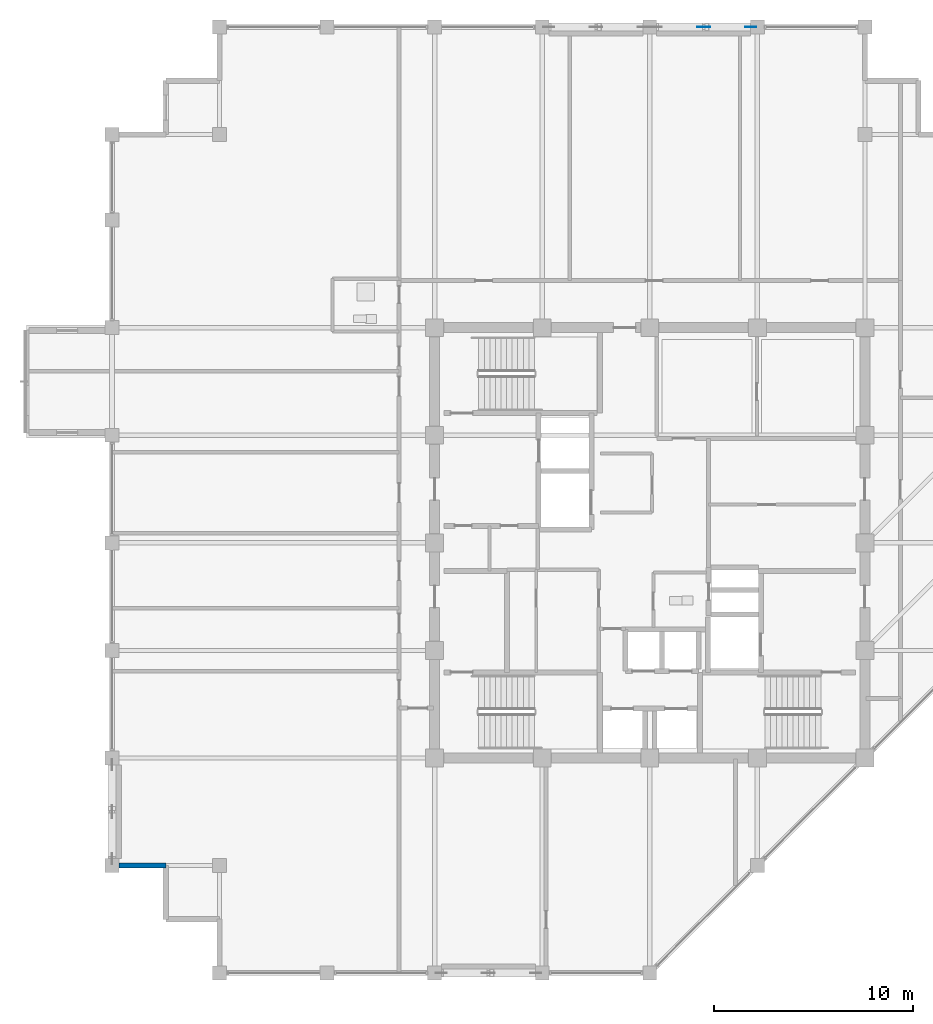
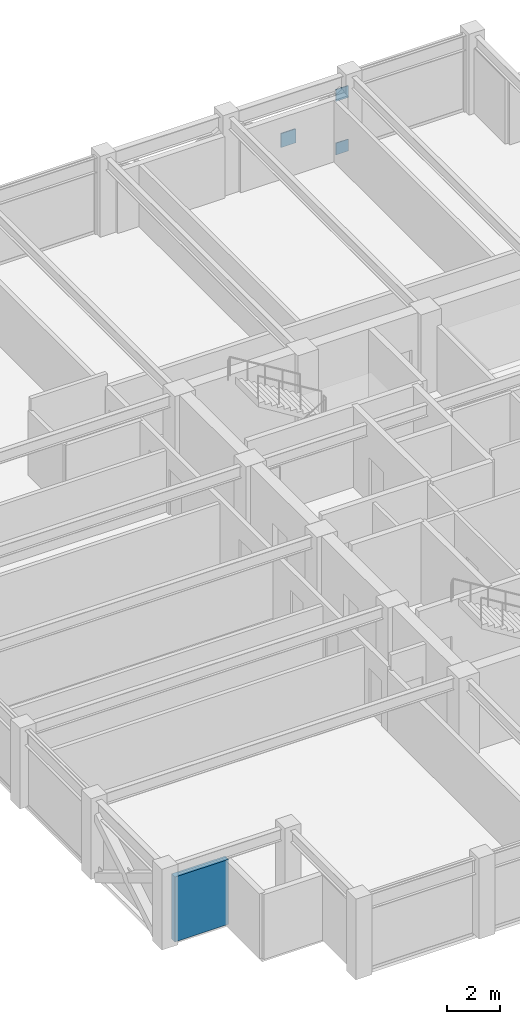
# One storey, part 24 of 31: 3 plates, 1 wall.
"""IFC4 building model written with IfcOpenShell, lengths in metres."""

from ifc_helpers import new_model, si_unit, direction, frame, frame_2d, origin, origin_2d, place, context, subcontext, project, spatial, rectangle, extrude, material, layer, layer_set, type_object, element, save


model = new_model("IFC4")

# Units and contexts
model_context = context("Model", 3, precision=1e-05, world=origin(), true_north=direction((0.0, 1.0)))
body_context = subcontext(model_context, "Body", "Model", "MODEL_VIEW")
ifc_project = project(units=[si_unit("LENGTHUNIT", "METRE"), si_unit("AREAUNIT", "SQUARE_METRE"), si_unit("VOLUMEUNIT", "CUBIC_METRE"), si_unit("PLANEANGLEUNIT", "RADIAN"), si_unit("MASSUNIT", "GRAM", prefix="KILO")], contexts=[model_context])

# Site, building, storey
site_placement = place(None, origin())
site = spatial("IfcSite", under=ifc_project, at=site_placement, CompositionType="ELEMENT")
building_placement = place(site_placement, origin())
building = spatial("IfcBuilding", under=site, at=building_placement, Name="Surkhivell Harbour Commons", CompositionType="ELEMENT")
storey_placement = place(building_placement, frame((0.0, 0.0, 262.5)))
storey = spatial("IfcBuildingStorey", under=building, at=storey_placement, Name="L68", CompositionType="ELEMENT", Elevation=262.5)

# Plates
ifc_material_1 = material(Name="Steel S460", Category="steel")
ifc_layer_1 = layer(ifc_material_1, 0.035888671875)
ifc_layer_set_1 = layer_set([ifc_layer_1], Name="Steel S460")
plate_type_1 = type_object("IfcPlateType", Name="PLT-GUS-550", PredefinedType="USERDEFINED", material=ifc_layer_set_1)
for number, where, z_axis, x_axis, name in (
    (1, (5.06494140625, 25.89990234375, -0.07470703125), (0.0, 0.0, 1.0), (1.0, 0.0, 0.0), "L68 Perimeter Mega-Brace MB- Corner Gusset N2-2"),
    (2, (5.06494140625, 25.89990234375, 2.41357421875), (0.0, 0.0, 1.0), (1.0, 0.0, 0.0), "L68 Perimeter Mega-Brace MB- Corner Gusset N2-4"),
):
    element("IfcPlate", number, at=place(storey_placement, frame(where, z_axis=z_axis, x_axis=x_axis)), inside=storey, type_object=plate_type_1, Name=name, ObjectType="GUSSET_PLATE", PredefinedType="USERDEFINED", context=body_context, shape_type="SweptSolid", body=[
        extrude(rectangle(XDim=0.550048828125, YDim=0.035888671875, at=origin_2d()), origin(), (0.0, 0.0, 1.0), 0.550048828125),
    ])
ifc_layer_2 = layer(ifc_material_1, 0.044921875)
ifc_layer_set_2 = layer_set([ifc_layer_2], Name="Steel S460")
plate_type_2 = type_object("IfcPlateType", Name="PLT-GUS-650", PredefinedType="USERDEFINED", material=ifc_layer_set_2)
plate_placement = place(storey_placement, frame((2.699951171875, 25.89990234375, 1.11962890625), z_axis=(0.0, 0.0, 1.0), x_axis=(1.0, 0.0, 0.0)))
element("IfcPlate", 3, at=plate_placement, inside=storey, type_object=plate_type_2, Name="L68 Perimeter Mega-Brace MB- Central Crossing Gusset N2", ObjectType="GUSSET_PLATE", PredefinedType="USERDEFINED", context=body_context, shape_type="SweptSolid", body=[
    extrude(rectangle(XDim=0.64990234375, YDim=0.044921875, at=origin_2d()), origin(), (0.0, 0.0, 1.0), 0.64990234375),
])

# Wall
ifc_material_2 = material(Name="Pale-metal insulated precast concrete C45/55", Category="concrete")
ifc_layer_3 = layer(ifc_material_2, 0.260009765625)
ifc_layer_set_3 = layer_set([ifc_layer_3], Name="Pale-metal insulated precast concrete C45/55")
wall_type = type_object("IfcWallType", Name="WAL-EXT-MTL260", PredefinedType="STANDARD", material=ifc_layer_set_3)
wall_placement = place(storey_placement, frame((-26.652099609375, -16.199951171875, 0.0), z_axis=(0.0, 0.0, 1.0), x_axis=(1.0, 0.0, 0.0)))
element("IfcWall", 4, at=wall_placement, inside=storey, type_object=wall_type, Name="L68 Serrated Corner Facade Wall 13", PredefinedType="STANDARD", context=body_context, shape_type="SweptSolid", body=[
    extrude(rectangle(XDim=2.35205078125, YDim=0.260009765625, at=frame_2d((1.176025390625, 0.0))), origin(), (0.0, 0.0, 1.0), 3.012939453125),
])

save(model, "model.ifc")
